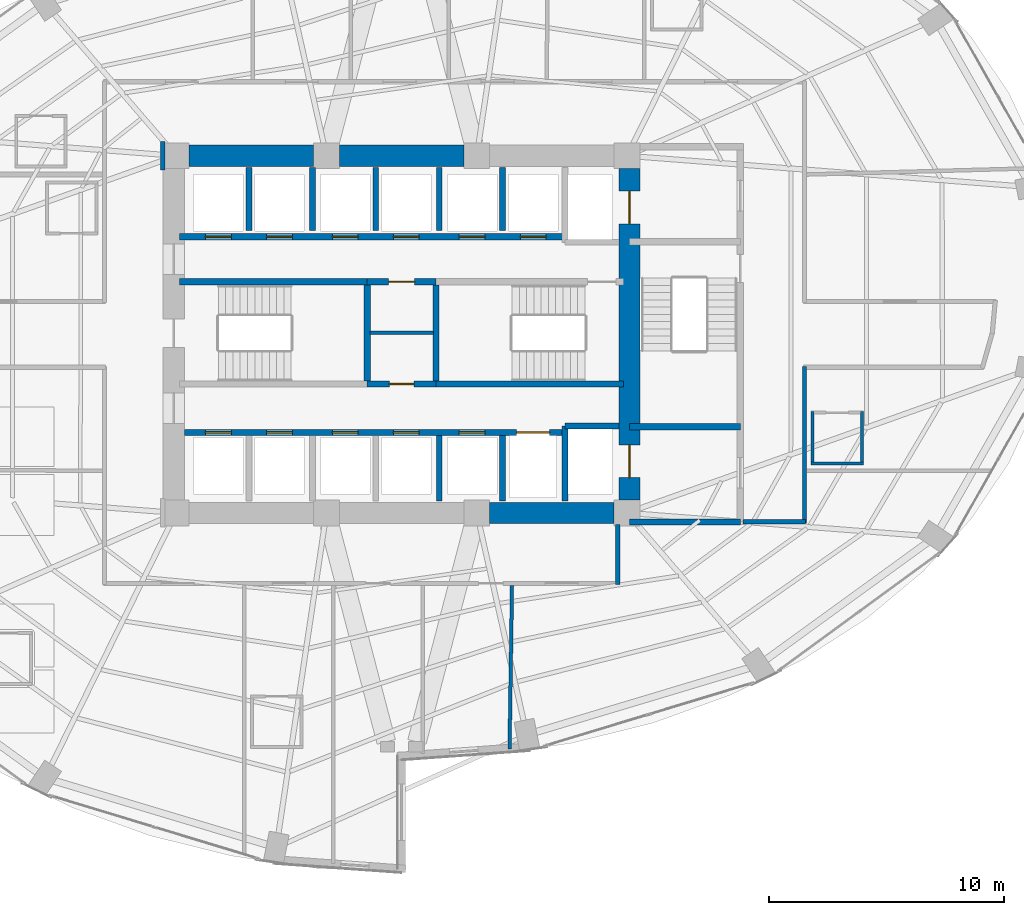
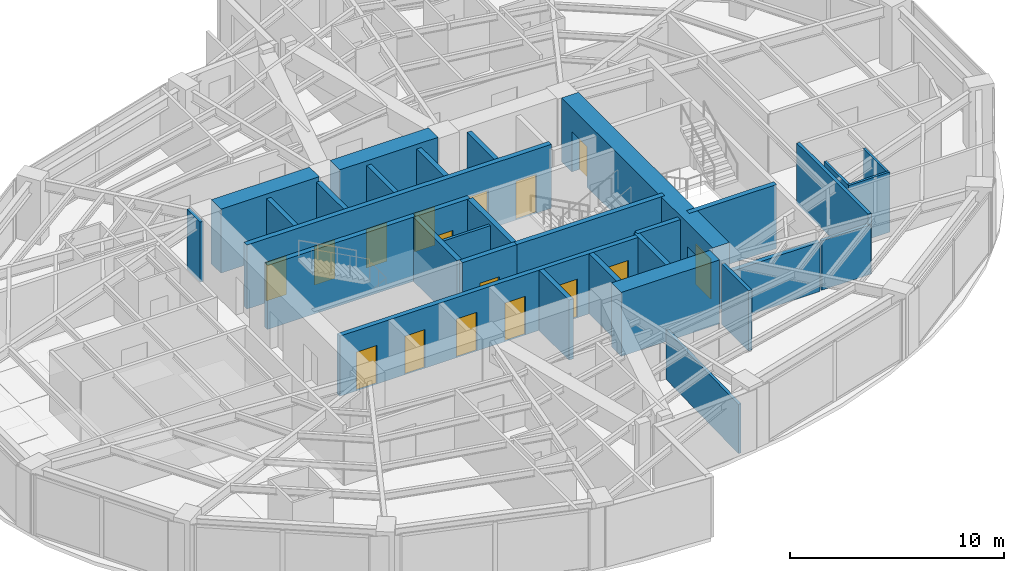
# One storey, part 21 of 25: 32 walls, 16 doors, 16 openings.
"""IFC4 building model written with IfcOpenShell, lengths in metres."""

from ifc_helpers import new_model, si_unit, direction, frame, frame_2d, origin, place, context, subcontext, project, spatial, rectangle, extrude, material, layer, layer_set, type_object, element, fill, save


model = new_model("IFC4")

# Units and contexts
model_context = context("Model", 3, precision=1e-05, world=origin(), true_north=direction((0.0, 1.0)))
body_context = subcontext(model_context, "Body", "Model", "MODEL_VIEW")
ifc_project = project(units=[si_unit("LENGTHUNIT", "METRE"), si_unit("AREAUNIT", "SQUARE_METRE"), si_unit("VOLUMEUNIT", "CUBIC_METRE"), si_unit("PLANEANGLEUNIT", "RADIAN"), si_unit("MASSUNIT", "GRAM", prefix="KILO")], contexts=[model_context])

# Site, building, storey
site_placement = place(None, origin())
site = spatial("IfcSite", under=ifc_project, at=site_placement, CompositionType="ELEMENT")
building_placement = place(site_placement, origin())
building = spatial("IfcBuilding", under=site, at=building_placement, Name="Lazwardi Medical Tower", CompositionType="ELEMENT")
storey_placement = place(building_placement, frame((0.0, 0.0, 32.49609375)))
storey = spatial("IfcBuildingStorey", under=building, at=storey_placement, Name="L07", CompositionType="ELEMENT", Elevation=32.49609375)

# Walls
ifc_material_1 = material(Name="Fire-rated gypsum board on steel stud", Category="steel")
ifc_layer_1 = layer(ifc_material_1, 0.179931640625)
ifc_layer_set_1 = layer_set([ifc_layer_1], Name="Fire-rated gypsum board on steel stud")
wall_type_1 = type_object("IfcWallType", Name="WL-COR-180", PredefinedType="PARTITIONING", material=ifc_layer_set_1)
wall_1_placement = place(storey_placement, frame((53.14990234375, 26.639892578125, 0.0), z_axis=(0.0, 0.0, 1.0), x_axis=(0.0, -1.0, 0.0)))
element("IfcWall", 1, at=wall_1_placement, inside=storey, type_object=wall_type_1, Name="L07 Corridor partition 10", PredefinedType="PARTITIONING", context=body_context, shape_type="SweptSolid", body=[
    extrude(rectangle(XDim=6.659912109375, YDim=0.179931640625, at=frame_2d((3.330078125, 0.0))), origin(), (0.0, 0.0, 1.0), 3.427978515625),
])
wall_2_placement = place(storey_placement, frame((53.18994140625, 20.02001953125, 0.0), z_axis=(0.0, 0.0, 1.0), x_axis=(-1.0, 0.0, 0.0)))
element("IfcWall", 2, at=wall_2_placement, inside=storey, type_object=wall_type_1, Name="L07 Corridor partition 11", PredefinedType="PARTITIONING", context=body_context, shape_type="SweptSolid", body=[
    extrude(rectangle(XDim=2.64990234375, YDim=0.179931640625, at=frame_2d((1.324951171875, 0.0))), origin(), (0.0, 0.0, 1.0), 2.81298828125),
])
wall_3_placement = place(storey_placement, frame((25.830078125, 36.2099609375, 0.0), z_axis=(0.0, 0.0, 1.0), x_axis=(0.0, -1.0, 0.0)))
element("IfcWall", 3, at=wall_3_placement, inside=storey, type_object=wall_type_1, Name="L07 Corridor partition 12", PredefinedType="PARTITIONING", context=body_context, shape_type="SweptSolid", body=[
    extrude(rectangle(XDim=1.219970703125, YDim=0.179931640625, at=frame_2d((0.60986328125, 0.0))), origin(), (0.0, 0.0, 1.0), 3.427978515625),
])
wall_4_placement = place(storey_placement, frame((45.199951171875, 19.909912109375, 0.0), z_axis=(0.0, 0.0, 1.0), x_axis=(0.0, -1.0, 0.0)))
element("IfcWall", 4, at=wall_4_placement, inside=storey, type_object=wall_type_1, Name="L07 Corridor partition 14", PredefinedType="PARTITIONING", context=body_context, shape_type="SweptSolid", body=[
    extrude(rectangle(XDim=2.5498046875, YDim=0.179931640625, at=frame_2d((1.27490234375, 0.0))), origin(), (0.0, 0.0, 1.0), 3.427978515625),
])

# Wall, openings, doors
ifc_material_2 = material(Name="Concrete C80/95", Category="concrete")
ifc_layer_2 = layer(ifc_material_2, 0.89990234375)
ifc_layer_set_2 = layer_set([ifc_layer_2], Name="Concrete C80/95")
wall_type_2 = type_object("IfcWallType", Name="WL-CORE-900", PredefinedType="SHEAR", material=ifc_layer_set_2)
wall_5_placement = place(storey_placement, frame((45.699951171875, 20.949951171875, 0.0), z_axis=(0.0, 0.0, 1.0), x_axis=(0.0, 1.0, 0.0)))
wall_5 = element("IfcWall", 5, at=wall_5_placement, inside=storey, type_object=wall_type_2, Name="Core wall CW-S1 east L07", PredefinedType="SHEAR", context=body_context, shape_type="SweptSolid", body=[
    extrude(rectangle(XDim=14.10009765625, YDim=0.89990234375, at=frame_2d((7.050048828125, 0.0))), origin(), (0.0, 0.0, 1.0), 3.64794921875),
])
opening_1_placement = place(wall_5_placement, frame((11.75, 0.0, 0.0)))
opening_1 = element("IfcOpeningElement", 6, at=opening_1_placement, cuts=wall_5, Name="Opening LD-L07-001", PredefinedType="OPENING", context=body_context, shape_type="SweptSolid", body=[
    extrude(rectangle(XDim=1.39990234375, YDim=2.300048828125, at=frame_2d((0.699951171875, 1.14990234375))), frame((0.0, 0.4599609375, 0.0), z_axis=(0.0, -1.0, 0.0), x_axis=(1.0, 0.0, 0.0)), (0.0, 0.0, 1.0), 0.919921875),
])
opening_2_placement = place(wall_5_placement, frame((0.949951171875, 0.0, 0.0)))
opening_2 = element("IfcOpeningElement", 7, at=opening_2_placement, cuts=wall_5, Name="Opening LD-L07-002", PredefinedType="OPENING", context=body_context, shape_type="SweptSolid", body=[
    extrude(rectangle(XDim=1.39990234375, YDim=2.300048828125, at=frame_2d((0.699951171875, 1.14990234375))), frame((0.0, 0.4599609375, 0.0), z_axis=(0.0, -1.0, 0.0), x_axis=(1.0, 0.0, 0.0)), (0.0, 0.0, 1.0), 0.919921875),
])
ifc_material_3 = material(Name="Brushed stainless steel bed-lift landing door", Category="steel")
door_type_1 = type_object("IfcDoorType", Name="DR-LFT-1400", OperationType="NOTDEFINED", PredefinedType="DOOR", material=ifc_material_3)
door_1_placement = place(opening_1_placement, origin())
door_1 = element("IfcDoor", 8, at=door_1_placement, inside=storey, type_object=door_type_1, Name="L07 Lift Landing Door FL-01", OperationType="SLIDING_TO_LEFT", OverallHeight=2.300048828125, OverallWidth=1.39990234375, PredefinedType="DOOR", context=body_context, shape_type="SweptSolid", body=[
    extrude(rectangle(XDim=1.39990234375, YDim=2.300048828125, at=frame_2d((0.699951171875, 1.14990234375))), frame((0.0, 0.02490234375, 0.0), z_axis=(0.0, -1.0, 0.0), x_axis=(1.0, 0.0, 0.0)), (0.0, 0.0, 1.0), 0.050048828125),
])
fill(opening_1, door_1)
door_2_placement = place(opening_2_placement, origin())
door_2 = element("IfcDoor", 9, at=door_2_placement, inside=storey, type_object=door_type_1, Name="L07 Lift Landing Door FL-02", OperationType="SLIDING_TO_LEFT", OverallHeight=2.300048828125, OverallWidth=1.39990234375, PredefinedType="DOOR", context=body_context, shape_type="SweptSolid", body=[
    extrude(rectangle(XDim=1.39990234375, YDim=2.300048828125, at=frame_2d((0.699951171875, 1.14990234375))), frame((0.0, 0.02490234375, 0.0), z_axis=(0.0, -1.0, 0.0), x_axis=(1.0, 0.0, 0.0)), (0.0, 0.0, 1.0), 0.050048828125),
])
fill(opening_2, door_2)

# Walls
wall_6_placement = place(storey_placement, frame((26.949951171875, 35.60009765625, 0.0), z_axis=(0.0, 0.0, 1.0), x_axis=(1.0, 0.0, 0.0)))
element("IfcWall", 10, at=wall_6_placement, inside=storey, type_object=wall_type_2, Name="Core wall CW-S1 N1 L07", PredefinedType="SHEAR", context=body_context, shape_type="SweptSolid", body=[
    extrude(rectangle(XDim=5.300048828125, YDim=0.89990234375, at=frame_2d((2.64990234375, 0.0))), origin(), (0.0, 0.0, 1.0), 3.64794921875),
])
wall_7_placement = place(storey_placement, frame((33.35009765625, 35.60009765625, 0.0), z_axis=(0.0, 0.0, 1.0), x_axis=(1.0, 0.0, 0.0)))
element("IfcWall", 11, at=wall_7_placement, inside=storey, type_object=wall_type_2, Name="Core wall CW-S1 N2 L07", PredefinedType="SHEAR", context=body_context, shape_type="SweptSolid", body=[
    extrude(rectangle(XDim=5.2998046875, YDim=0.89990234375, at=frame_2d((2.64990234375, 0.0))), origin(), (0.0, 0.0, 1.0), 3.64794921875),
])
wall_8_placement = place(storey_placement, frame((39.75, 20.39990234375, 0.0), z_axis=(0.0, 0.0, 1.0), x_axis=(1.0, 0.0, 0.0)))
element("IfcWall", 12, at=wall_8_placement, inside=storey, type_object=wall_type_2, Name="Core wall CW-S1 S3 L07", PredefinedType="SHEAR", context=body_context, shape_type="SweptSolid", body=[
    extrude(rectangle(XDim=5.300048828125, YDim=0.89990234375, at=frame_2d((2.64990234375, 0.0))), origin(), (0.0, 0.0, 1.0), 3.64794921875),
])
ifc_material_4 = material(Name="Moisture-resistant gypsum board partition")
ifc_layer_3 = layer(ifc_material_4, 0.125)
ifc_layer_set_3 = layer_set([ifc_layer_3], Name="Moisture-resistant gypsum board partition")
wall_type_3 = type_object("IfcWallType", Name="WL-ENS-125", PredefinedType="PARTITIONING", material=ifc_layer_set_3)
wall_9_placement = place(storey_placement, frame((53.43505859375, 22.5048828125, 0.0), z_axis=(0.0, 0.0, 1.0), x_axis=(1.0, 0.0, 0.0)))
element("IfcWall", 13, at=wall_9_placement, inside=storey, type_object=wall_type_3, Name="L07 En-suite wall 6S", PredefinedType="PARTITIONING", context=body_context, shape_type="SweptSolid", body=[
    extrude(rectangle(XDim=2.219970703125, YDim=0.125, at=frame_2d((1.10986328125, 0.0))), origin(), (0.0, 0.0, 1.0), 3.427978515625),
])
for number, where, z_axis, x_axis, name in (
    (14, (55.594970703125, 22.445068359375, 0.0), (0.0, 0.0, 1.0), (0.0, 1.0, 0.0), "L07 En-suite wall 6E"),
    (15, (53.4951171875, 22.445068359375, 0.0), (0.0, 0.0, 1.0), (0.0, 1.0, 0.0), "L07 En-suite wall 6W"),
):
    element("IfcWall", number, at=place(storey_placement, frame(where, z_axis=z_axis, x_axis=x_axis)), inside=storey, type_object=wall_type_3, Name=name, PredefinedType="PARTITIONING", context=body_context, shape_type="SweptSolid", body=[
        extrude(rectangle(XDim=2.280029296875, YDim=0.125, at=frame_2d((1.14013671875, 0.0))), origin(), (0.0, 0.0, 1.0), 3.427978515625),
    ])

# Wall, openings, doors
ifc_material_5 = material(Name="Autoclaved aerated concrete blockwork", Category="masonry")
ifc_layer_4 = layer(ifc_material_5, 0.25)
ifc_layer_set_4 = layer_set([ifc_layer_4], Name="Autoclaved aerated concrete blockwork")
wall_type_4 = type_object("IfcWallType", Name="WL-SHAFT-250", PredefinedType="SOLIDWALL", material=ifc_layer_set_4)
wall_10_placement = place(storey_placement, frame((26.75, 23.830078125, 0.0), z_axis=(0.0, 0.0, 1.0), x_axis=(1.0, 0.0, 0.0)))
wall_10 = element("IfcWall", 16, at=wall_10_placement, inside=storey, type_object=wall_type_4, Name="L07 South lift bank front wall", PredefinedType="SOLIDWALL", context=body_context, shape_type="SweptSolid", body=[
    extrude(rectangle(XDim=16.199951171875, YDim=0.25, at=frame_2d((8.10009765625, 0.0))), origin(), (0.0, 0.0, 1.0), 3.427978515625),
])
opening_3_placement = place(wall_10_placement, frame((0.89990234375, 0.0, 0.0)))
opening_3 = element("IfcOpeningElement", 17, at=opening_3_placement, cuts=wall_10, Name="Opening LD-L07-006", PredefinedType="OPENING", context=body_context, shape_type="SweptSolid", body=[
    extrude(rectangle(XDim=1.10009765625, YDim=2.199951171875, at=frame_2d((0.550048828125, 1.10009765625))), frame((0.0, 0.135009765625, 0.0), z_axis=(0.0, -1.0, 0.0), x_axis=(1.0, 0.0, 0.0)), (0.0, 0.0, 1.0), 0.27001953125),
])
opening_4_placement = place(wall_10_placement, frame((3.5, 0.0, 0.0)))
opening_4 = element("IfcOpeningElement", 18, at=opening_4_placement, cuts=wall_10, Name="Opening LD-L07-007", PredefinedType="OPENING", context=body_context, shape_type="SweptSolid", body=[
    extrude(rectangle(XDim=1.10009765625, YDim=2.199951171875, at=frame_2d((0.550048828125, 1.10009765625))), frame((0.0, 0.135009765625, 0.0), z_axis=(0.0, -1.0, 0.0), x_axis=(1.0, 0.0, 0.0)), (0.0, 0.0, 1.0), 0.27001953125),
])
opening_5_placement = place(wall_10_placement, frame((6.300048828125, 0.0, 0.0)))
opening_5 = element("IfcOpeningElement", 19, at=opening_5_placement, cuts=wall_10, Name="Opening LD-L07-010", PredefinedType="OPENING", context=body_context, shape_type="SweptSolid", body=[
    extrude(rectangle(XDim=1.10009765625, YDim=2.199951171875, at=frame_2d((0.550048828125, 1.10009765625))), frame((0.0, 0.135009765625, 0.0), z_axis=(0.0, -1.0, 0.0), x_axis=(1.0, 0.0, 0.0)), (0.0, 0.0, 1.0), 0.27001953125),
])
opening_6_placement = place(wall_10_placement, frame((8.89990234375, 0.0, 0.0)))
opening_6 = element("IfcOpeningElement", 20, at=opening_6_placement, cuts=wall_10, Name="Opening LD-L07-011", PredefinedType="OPENING", context=body_context, shape_type="SweptSolid", body=[
    extrude(rectangle(XDim=1.10009765625, YDim=2.199951171875, at=frame_2d((0.550048828125, 1.10009765625))), frame((0.0, 0.135009765625, 0.0), z_axis=(0.0, -1.0, 0.0), x_axis=(1.0, 0.0, 0.0)), (0.0, 0.0, 1.0), 0.27001953125),
])
opening_7_placement = place(wall_10_placement, frame((11.699951171875, 0.0, 0.0)))
opening_7 = element("IfcOpeningElement", 21, at=opening_7_placement, cuts=wall_10, Name="Opening LD-L07-014", PredefinedType="OPENING", context=body_context, shape_type="SweptSolid", body=[
    extrude(rectangle(XDim=1.10009765625, YDim=2.199951171875, at=frame_2d((0.550048828125, 1.10009765625))), frame((0.0, 0.135009765625, 0.0), z_axis=(0.0, -1.0, 0.0), x_axis=(1.0, 0.0, 0.0)), (0.0, 0.0, 1.0), 0.27001953125),
])
opening_8_placement = place(wall_10_placement, frame((14.14990234375, 0.0, 0.0)))
opening_8 = element("IfcOpeningElement", 22, at=opening_8_placement, cuts=wall_10, Name="Opening LD-L07-003", PredefinedType="OPENING", context=body_context, shape_type="SweptSolid", body=[
    extrude(rectangle(XDim=1.39990234375, YDim=2.300048828125, at=frame_2d((0.699951171875, 1.14990234375))), frame((0.0, 0.135009765625, 0.0), z_axis=(0.0, -1.0, 0.0), x_axis=(1.0, 0.0, 0.0)), (0.0, 0.0, 1.0), 0.27001953125),
])
ifc_material_6 = material(Name="Brushed bronze stainless steel landing door", Category="steel")
door_type_2 = type_object("IfcDoorType", Name="DR-LFT-1100", OperationType="NOTDEFINED", PredefinedType="DOOR", material=ifc_material_6)
door_3_placement = place(opening_3_placement, origin())
door_3 = element("IfcDoor", 23, at=door_3_placement, inside=storey, type_object=door_type_2, Name="L07 Lift Landing Door PL-03", OperationType="SLIDING_TO_LEFT", OverallHeight=2.199951171875, OverallWidth=1.10009765625, PredefinedType="DOOR", context=body_context, shape_type="SweptSolid", body=[
    extrude(rectangle(XDim=1.10009765625, YDim=2.199951171875, at=frame_2d((0.550048828125, 1.10009765625))), frame((0.0, 0.02490234375, 0.0), z_axis=(0.0, -1.0, 0.0), x_axis=(1.0, 0.0, 0.0)), (0.0, 0.0, 1.0), 0.050048828125),
])
fill(opening_3, door_3)
door_4_placement = place(opening_4_placement, origin())
door_4 = element("IfcDoor", 24, at=door_4_placement, inside=storey, type_object=door_type_2, Name="L07 Lift Landing Door PL-04", OperationType="SLIDING_TO_LEFT", OverallHeight=2.199951171875, OverallWidth=1.10009765625, PredefinedType="DOOR", context=body_context, shape_type="SweptSolid", body=[
    extrude(rectangle(XDim=1.10009765625, YDim=2.199951171875, at=frame_2d((0.550048828125, 1.10009765625))), frame((0.0, 0.02490234375, 0.0), z_axis=(0.0, -1.0, 0.0), x_axis=(1.0, 0.0, 0.0)), (0.0, 0.0, 1.0), 0.050048828125),
])
fill(opening_4, door_4)
door_5_placement = place(opening_5_placement, origin())
door_5 = element("IfcDoor", 25, at=door_5_placement, inside=storey, type_object=door_type_2, Name="L07 Lift Landing Door PL-07", OperationType="SLIDING_TO_LEFT", OverallHeight=2.199951171875, OverallWidth=1.10009765625, PredefinedType="DOOR", context=body_context, shape_type="SweptSolid", body=[
    extrude(rectangle(XDim=1.10009765625, YDim=2.199951171875, at=frame_2d((0.550048828125, 1.10009765625))), frame((0.0, 0.02490234375, 0.0), z_axis=(0.0, -1.0, 0.0), x_axis=(1.0, 0.0, 0.0)), (0.0, 0.0, 1.0), 0.050048828125),
])
fill(opening_5, door_5)
door_6_placement = place(opening_6_placement, origin())
door_6 = element("IfcDoor", 26, at=door_6_placement, inside=storey, type_object=door_type_2, Name="L07 Lift Landing Door PL-08", OperationType="SLIDING_TO_LEFT", OverallHeight=2.199951171875, OverallWidth=1.10009765625, PredefinedType="DOOR", context=body_context, shape_type="SweptSolid", body=[
    extrude(rectangle(XDim=1.10009765625, YDim=2.199951171875, at=frame_2d((0.550048828125, 1.10009765625))), frame((0.0, 0.02490234375, 0.0), z_axis=(0.0, -1.0, 0.0), x_axis=(1.0, 0.0, 0.0)), (0.0, 0.0, 1.0), 0.050048828125),
])
fill(opening_6, door_6)
door_7_placement = place(opening_7_placement, origin())
door_7 = element("IfcDoor", 27, at=door_7_placement, inside=storey, type_object=door_type_2, Name="L07 Lift Landing Door PL-11", OperationType="SLIDING_TO_LEFT", OverallHeight=2.199951171875, OverallWidth=1.10009765625, PredefinedType="DOOR", context=body_context, shape_type="SweptSolid", body=[
    extrude(rectangle(XDim=1.10009765625, YDim=2.199951171875, at=frame_2d((0.550048828125, 1.10009765625))), frame((0.0, 0.02490234375, 0.0), z_axis=(0.0, -1.0, 0.0), x_axis=(1.0, 0.0, 0.0)), (0.0, 0.0, 1.0), 0.050048828125),
])
fill(opening_7, door_7)
door_8_placement = place(opening_8_placement, origin())
door_8 = element("IfcDoor", 28, at=door_8_placement, inside=storey, type_object=door_type_1, Name="L07 Lift Landing Door FL-03", OperationType="SLIDING_TO_LEFT", OverallHeight=2.300048828125, OverallWidth=1.39990234375, PredefinedType="DOOR", context=body_context, shape_type="SweptSolid", body=[
    extrude(rectangle(XDim=1.39990234375, YDim=2.300048828125, at=frame_2d((0.699951171875, 1.14990234375))), frame((0.0, 0.02490234375, 0.0), z_axis=(0.0, -1.0, 0.0), x_axis=(1.0, 0.0, 0.0)), (0.0, 0.0, 1.0), 0.050048828125),
])
fill(opening_8, door_8)

# Walls
wall_11_placement = place(storey_placement, frame((42.949951171875, 20.89990234375, 0.0), z_axis=(0.0, 0.0, 1.0), x_axis=(0.0, 1.0, 0.0)))
element("IfcWall", 29, at=wall_11_placement, inside=storey, type_object=wall_type_4, Name="L07 FL-02 West shaft wall", PredefinedType="SOLIDWALL", context=body_context, shape_type="SweptSolid", body=[
    extrude(rectangle(XDim=3.2001953125, YDim=0.25, at=frame_2d((1.60009765625, 0.0))), origin(), (0.0, 0.0, 1.0), 3.427978515625),
])
wall_12_placement = place(storey_placement, frame((42.949951171875, 24.10009765625, 0.0), z_axis=(0.0, 0.0, 1.0), x_axis=(1.0, 0.0, 0.0)))
element("IfcWall", 30, at=wall_12_placement, inside=storey, type_object=wall_type_4, Name="L07 FL-02 North shaft wall", PredefinedType="SOLIDWALL", context=body_context, shape_type="SweptSolid", body=[
    extrude(rectangle(XDim=2.300048828125, YDim=0.25, at=frame_2d((1.14990234375, 0.0))), origin(), (0.0, 0.0, 1.0), 3.427978515625),
])
for number, where, z_axis, x_axis, name in (
    (31, (29.5, 32.419921875, 0.0), (0.0, 0.0, 1.0), (0.0, 1.0, 0.0), "L07 North hoistway divider"),
    (32, (32.199951171875, 32.419921875, 0.0), (0.0, 0.0, 1.0), (0.0, 1.0, 0.0), "L07 North hoistway divider"),
    (33, (34.89990234375, 32.419921875, 0.0), (0.0, 0.0, 1.0), (0.0, 1.0, 0.0), "L07 North hoistway divider"),
    (34, (37.60009765625, 32.419921875, 0.0), (0.0, 0.0, 1.0), (0.0, 1.0, 0.0), "L07 North hoistway divider"),
):
    element("IfcWall", number, at=place(storey_placement, frame(where, z_axis=z_axis, x_axis=x_axis)), inside=storey, type_object=wall_type_4, Name=name, PredefinedType="SOLIDWALL", context=body_context, shape_type="SweptSolid", body=[
        extrude(rectangle(XDim=2.68017578125, YDim=0.25, at=frame_2d((1.340087890625, 0.0))), origin(), (0.0, 0.0, 1.0), 3.427978515625),
    ])
wall_13_placement = place(storey_placement, frame((37.60009765625, 20.89990234375, 0.0), z_axis=(0.0, 0.0, 1.0), x_axis=(0.0, 1.0, 0.0)))
element("IfcWall", 35, at=wall_13_placement, inside=storey, type_object=wall_type_4, Name="L07 South hoistway divider", PredefinedType="SOLIDWALL", context=body_context, shape_type="SweptSolid", body=[
    extrude(rectangle(XDim=2.800048828125, YDim=0.25, at=frame_2d((1.39990234375, 0.0))), origin(), (0.0, 0.0, 1.0), 3.427978515625),
])
wall_14_placement = place(storey_placement, frame((40.300048828125, 32.419921875, 0.0), z_axis=(0.0, 0.0, 1.0), x_axis=(0.0, 1.0, 0.0)))
element("IfcWall", 36, at=wall_14_placement, inside=storey, type_object=wall_type_4, Name="L07 North hoistway divider", PredefinedType="SOLIDWALL", context=body_context, shape_type="SweptSolid", body=[
    extrude(rectangle(XDim=2.68017578125, YDim=0.25, at=frame_2d((1.340087890625, 0.0))), origin(), (0.0, 0.0, 1.0), 3.427978515625),
])
wall_15_placement = place(storey_placement, frame((40.300048828125, 20.89990234375, 0.0), z_axis=(0.0, 0.0, 1.0), x_axis=(0.0, 1.0, 0.0)))
element("IfcWall", 37, at=wall_15_placement, inside=storey, type_object=wall_type_4, Name="L07 South hoistway divider", PredefinedType="SOLIDWALL", context=body_context, shape_type="SweptSolid", body=[
    extrude(rectangle(XDim=2.800048828125, YDim=0.25, at=frame_2d((1.39990234375, 0.0))), origin(), (0.0, 0.0, 1.0), 3.427978515625),
])
wall_16_placement = place(storey_placement, frame((45.699951171875, 20.02001953125, 0.0), z_axis=(0.0, 0.0, 1.0), x_axis=(1.0, 0.0, 0.0)))
element("IfcWall", 38, at=wall_16_placement, inside=storey, type_object=wall_type_4, Name="L07 FFL-S South wall", PredefinedType="SOLIDWALL", context=body_context, shape_type="SweptSolid", body=[
    extrude(rectangle(XDim=4.715087890625, YDim=0.25, at=frame_2d((2.357421875, 0.0))), origin(), (0.0, 0.0, 1.0), 2.81298828125),
])
ifc_material_7 = material(Name="Concrete C50/60", Category="concrete")
ifc_layer_5 = layer(ifc_material_7, 0.27001953125)
ifc_layer_set_5 = layer_set([ifc_layer_5], Name="Concrete C50/60")
wall_type_5 = type_object("IfcWallType", Name="WL-STR-250", PredefinedType="SHEAR", material=ifc_layer_set_5)
wall_17_placement = place(storey_placement, frame((26.550048828125, 30.235107421875, 0.0), z_axis=(0.0, 0.0, 1.0), x_axis=(1.0, 0.0, 0.0)))
element("IfcWall", 39, at=wall_17_placement, inside=storey, type_object=wall_type_5, Name="L07 ST1 North shear shaft wall SW-S1", PredefinedType="SHEAR", context=body_context, shape_type="SweptSolid", body=[
    extrude(rectangle(XDim=7.98486328125, YDim=0.27001953125, at=frame_2d((3.992431640625, 0.0))), origin(), (0.0, 0.0, 1.0), 3.64794921875),
])

# Wall, opening, door
wall_18_placement = place(storey_placement, frame((34.534912109375, 30.235107421875, 0.0), z_axis=(0.0, 0.0, 1.0), x_axis=(1.0, 0.0, 0.0)))
wall_18 = element("IfcWall", 40, at=wall_18_placement, inside=storey, type_object=wall_type_5, Name="L07 Core service North shear wall SW-S1", PredefinedType="SHEAR", context=body_context, shape_type="SweptSolid", body=[
    extrude(rectangle(XDim=2.93017578125, YDim=0.27001953125, at=frame_2d((1.465087890625, 0.0))), origin(), (0.0, 0.0, 1.0), 3.64794921875),
])
opening_9_placement = place(wall_18_placement, frame((0.9150390625, 0.0, 0.0)))
opening_9 = element("IfcOpeningElement", 41, at=opening_9_placement, cuts=wall_18, Name="Opening D-L07-002", PredefinedType="OPENING", context=body_context, shape_type="SweptSolid", body=[
    extrude(rectangle(XDim=1.10009765625, YDim=2.14990234375, at=frame_2d((0.550048828125, 1.074951171875))), frame((0.0, 0.14501953125, 0.0), z_axis=(0.0, -1.0, 0.0), x_axis=(1.0, 0.0, 0.0)), (0.0, 0.0, 1.0), 0.2900390625),
])
ifc_material_8 = material(Name="Fire-rated steel leaf and frame", Category="steel")
door_type_3 = type_object("IfcDoorType", Name="DR-PLT-1100", OperationType="NOTDEFINED", PredefinedType="DOOR", material=ifc_material_8)
door_9_placement = place(opening_9_placement, origin())
door_9 = element("IfcDoor", 42, at=door_9_placement, inside=storey, type_object=door_type_3, Name="L07 Electrical Room Door", OperationType="SINGLE_SWING_RIGHT", OverallHeight=2.14990234375, OverallWidth=1.10009765625, PredefinedType="DOOR", context=body_context, shape_type="SweptSolid", body=[
    extrude(rectangle(XDim=1.10009765625, YDim=2.14990234375, at=frame_2d((0.550048828125, 1.074951171875))), frame((0.0, 0.02490234375, 0.0), z_axis=(0.0, -1.0, 0.0), x_axis=(1.0, 0.0, 0.0)), (0.0, 0.0, 1.0), 0.050048828125),
])
fill(opening_9, door_9)

wall_19_placement = place(storey_placement, frame((34.534912109375, 25.885009765625, 0.0), z_axis=(0.0, 0.0, 1.0), x_axis=(1.0, 0.0, 0.0)))
wall_19 = element("IfcWall", 43, at=wall_19_placement, inside=storey, type_object=wall_type_5, Name="L07 Core service South shear wall SW-S1", PredefinedType="SHEAR", context=body_context, shape_type="SweptSolid", body=[
    extrude(rectangle(XDim=2.93017578125, YDim=0.27001953125, at=frame_2d((1.465087890625, 0.0))), origin(), (0.0, 0.0, 1.0), 3.64794921875),
])
opening_10_placement = place(wall_19_placement, frame((0.93994140625, 0.0, 0.0)))
opening_10 = element("IfcOpeningElement", 44, at=opening_10_placement, cuts=wall_19, Name="Opening D-L07-001", PredefinedType="OPENING", context=body_context, shape_type="SweptSolid", body=[
    extrude(rectangle(XDim=1.050048828125, YDim=2.14990234375, at=frame_2d((0.52490234375, 1.074951171875))), frame((0.0, 0.14501953125, 0.0), z_axis=(0.0, -1.0, 0.0), x_axis=(1.0, 0.0, 0.0)), (0.0, 0.0, 1.0), 0.2900390625),
])
ifc_material_9 = material(Name="Anti-microbial laminate hospital leaf")
door_type_4 = type_object("IfcDoorType", Name="DR-CLN-1050", OperationType="NOTDEFINED", PredefinedType="DOOR", material=ifc_material_9)
door_10_placement = place(opening_10_placement, origin())
door_10 = element("IfcDoor", 45, at=door_10_placement, inside=storey, type_object=door_type_4, Name="L07 Dirty Sluice Door", OperationType="SINGLE_SWING_LEFT", OverallHeight=2.14990234375, OverallWidth=1.050048828125, PredefinedType="DOOR", context=body_context, shape_type="SweptSolid", body=[
    extrude(rectangle(XDim=1.050048828125, YDim=2.14990234375, at=frame_2d((0.52490234375, 1.074951171875))), frame((0.0, 0.02490234375, 0.0), z_axis=(0.0, -1.0, 0.0), x_axis=(1.0, 0.0, 0.0)), (0.0, 0.0, 1.0), 0.050048828125),
])
fill(opening_10, door_10)

# Walls
wall_20_placement = place(storey_placement, frame((37.465087890625, 25.885009765625, 0.0), z_axis=(0.0, 0.0, 1.0), x_axis=(1.0, 0.0, 0.0)))
element("IfcWall", 46, at=wall_20_placement, inside=storey, type_object=wall_type_5, Name="L07 ST2 South shear shaft wall SW-S1", PredefinedType="SHEAR", context=body_context, shape_type="SweptSolid", body=[
    extrude(rectangle(XDim=7.98486328125, YDim=0.27001953125, at=frame_2d((3.992431640625, 0.0))), origin(), (0.0, 0.0, 1.0), 3.64794921875),
])
for number, where, z_axis, x_axis, name in (
    (47, (34.534912109375, 26.02001953125, 0.0), (0.0, 0.0, 1.0), (0.0, 1.0, 0.0), "L07 ST1 East shear shaft wall SW-S1"),
    (48, (37.465087890625, 26.02001953125, 0.0), (0.0, 0.0, 1.0), (0.0, 1.0, 0.0), "L07 ST2 West shear shaft wall SW-S1"),
):
    element("IfcWall", number, at=place(storey_placement, frame(where, z_axis=z_axis, x_axis=x_axis)), inside=storey, type_object=wall_type_5, Name=name, PredefinedType="SHEAR", context=body_context, shape_type="SweptSolid", body=[
        extrude(rectangle(XDim=4.080078125, YDim=0.27001953125, at=frame_2d((2.0400390625, 0.0))), origin(), (0.0, 0.0, 1.0), 3.64794921875),
    ])

# Wall, openings, doors
wall_21_placement = place(storey_placement, frame((26.550048828125, 32.14990234375, 0.0), z_axis=(0.0, 0.0, 1.0), x_axis=(1.0, 0.0, 0.0)))
wall_21 = element("IfcWall", 49, at=wall_21_placement, inside=storey, type_object=wall_type_5, Name="L07 North lift bank shear wall SW-S1", PredefinedType="SHEAR", context=body_context, shape_type="SweptSolid", body=[
    extrude(rectangle(XDim=16.39990234375, YDim=0.27001953125, at=frame_2d((8.199951171875, 0.0))), origin(), (0.0, 0.0, 1.0), 3.64794921875),
])
opening_11_placement = place(wall_21_placement, frame((1.10009765625, 0.0, 0.0)))
opening_11 = element("IfcOpeningElement", 50, at=opening_11_placement, cuts=wall_21, Name="Opening LD-L07-004", PredefinedType="OPENING", context=body_context, shape_type="SweptSolid", body=[
    extrude(rectangle(XDim=1.10009765625, YDim=2.199951171875, at=frame_2d((0.550048828125, 1.10009765625))), frame((0.0, 0.14501953125, 0.0), z_axis=(0.0, -1.0, 0.0), x_axis=(1.0, 0.0, 0.0)), (0.0, 0.0, 1.0), 0.2900390625),
])
opening_12_placement = place(wall_21_placement, frame((3.699951171875, 0.0, 0.0)))
opening_12 = element("IfcOpeningElement", 51, at=opening_12_placement, cuts=wall_21, Name="Opening LD-L07-005", PredefinedType="OPENING", context=body_context, shape_type="SweptSolid", body=[
    extrude(rectangle(XDim=1.10009765625, YDim=2.199951171875, at=frame_2d((0.550048828125, 1.10009765625))), frame((0.0, 0.14501953125, 0.0), z_axis=(0.0, -1.0, 0.0), x_axis=(1.0, 0.0, 0.0)), (0.0, 0.0, 1.0), 0.2900390625),
])
opening_13_placement = place(wall_21_placement, frame((6.5, 0.0, 0.0)))
opening_13 = element("IfcOpeningElement", 52, at=opening_13_placement, cuts=wall_21, Name="Opening LD-L07-008", PredefinedType="OPENING", context=body_context, shape_type="SweptSolid", body=[
    extrude(rectangle(XDim=1.10009765625, YDim=2.199951171875, at=frame_2d((0.550048828125, 1.10009765625))), frame((0.0, 0.14501953125, 0.0), z_axis=(0.0, -1.0, 0.0), x_axis=(1.0, 0.0, 0.0)), (0.0, 0.0, 1.0), 0.2900390625),
])
opening_14_placement = place(wall_21_placement, frame((9.10009765625, 0.0, 0.0)))
opening_14 = element("IfcOpeningElement", 53, at=opening_14_placement, cuts=wall_21, Name="Opening LD-L07-009", PredefinedType="OPENING", context=body_context, shape_type="SweptSolid", body=[
    extrude(rectangle(XDim=1.10009765625, YDim=2.199951171875, at=frame_2d((0.550048828125, 1.10009765625))), frame((0.0, 0.14501953125, 0.0), z_axis=(0.0, -1.0, 0.0), x_axis=(1.0, 0.0, 0.0)), (0.0, 0.0, 1.0), 0.2900390625),
])
opening_15_placement = place(wall_21_placement, frame((11.89990234375, 0.0, 0.0)))
opening_15 = element("IfcOpeningElement", 54, at=opening_15_placement, cuts=wall_21, Name="Opening LD-L07-012", PredefinedType="OPENING", context=body_context, shape_type="SweptSolid", body=[
    extrude(rectangle(XDim=1.10009765625, YDim=2.199951171875, at=frame_2d((0.550048828125, 1.10009765625))), frame((0.0, 0.14501953125, 0.0), z_axis=(0.0, -1.0, 0.0), x_axis=(1.0, 0.0, 0.0)), (0.0, 0.0, 1.0), 0.2900390625),
])
opening_16_placement = place(wall_21_placement, frame((14.5, 0.0, 0.0)))
opening_16 = element("IfcOpeningElement", 55, at=opening_16_placement, cuts=wall_21, Name="Opening LD-L07-013", PredefinedType="OPENING", context=body_context, shape_type="SweptSolid", body=[
    extrude(rectangle(XDim=1.10009765625, YDim=2.199951171875, at=frame_2d((0.550048828125, 1.10009765625))), frame((0.0, 0.14501953125, 0.0), z_axis=(0.0, -1.0, 0.0), x_axis=(1.0, 0.0, 0.0)), (0.0, 0.0, 1.0), 0.2900390625),
])
door_11_placement = place(opening_11_placement, origin())
door_11 = element("IfcDoor", 56, at=door_11_placement, inside=storey, type_object=door_type_2, Name="L07 Lift Landing Door PL-01", OperationType="SLIDING_TO_LEFT", OverallHeight=2.199951171875, OverallWidth=1.10009765625, PredefinedType="DOOR", context=body_context, shape_type="SweptSolid", body=[
    extrude(rectangle(XDim=1.10009765625, YDim=2.199951171875, at=frame_2d((0.550048828125, 1.10009765625))), frame((0.0, 0.02490234375, 0.0), z_axis=(0.0, -1.0, 0.0), x_axis=(1.0, 0.0, 0.0)), (0.0, 0.0, 1.0), 0.050048828125),
])
fill(opening_11, door_11)
door_12_placement = place(opening_12_placement, origin())
door_12 = element("IfcDoor", 57, at=door_12_placement, inside=storey, type_object=door_type_2, Name="L07 Lift Landing Door PL-02", OperationType="SLIDING_TO_LEFT", OverallHeight=2.199951171875, OverallWidth=1.10009765625, PredefinedType="DOOR", context=body_context, shape_type="SweptSolid", body=[
    extrude(rectangle(XDim=1.10009765625, YDim=2.199951171875, at=frame_2d((0.550048828125, 1.10009765625))), frame((0.0, 0.02490234375, 0.0), z_axis=(0.0, -1.0, 0.0), x_axis=(1.0, 0.0, 0.0)), (0.0, 0.0, 1.0), 0.050048828125),
])
fill(opening_12, door_12)
door_13_placement = place(opening_13_placement, origin())
door_13 = element("IfcDoor", 58, at=door_13_placement, inside=storey, type_object=door_type_2, Name="L07 Lift Landing Door PL-05", OperationType="SLIDING_TO_LEFT", OverallHeight=2.199951171875, OverallWidth=1.10009765625, PredefinedType="DOOR", context=body_context, shape_type="SweptSolid", body=[
    extrude(rectangle(XDim=1.10009765625, YDim=2.199951171875, at=frame_2d((0.550048828125, 1.10009765625))), frame((0.0, 0.02490234375, 0.0), z_axis=(0.0, -1.0, 0.0), x_axis=(1.0, 0.0, 0.0)), (0.0, 0.0, 1.0), 0.050048828125),
])
fill(opening_13, door_13)
door_14_placement = place(opening_14_placement, origin())
door_14 = element("IfcDoor", 59, at=door_14_placement, inside=storey, type_object=door_type_2, Name="L07 Lift Landing Door PL-06", OperationType="SLIDING_TO_LEFT", OverallHeight=2.199951171875, OverallWidth=1.10009765625, PredefinedType="DOOR", context=body_context, shape_type="SweptSolid", body=[
    extrude(rectangle(XDim=1.10009765625, YDim=2.199951171875, at=frame_2d((0.550048828125, 1.10009765625))), frame((0.0, 0.02490234375, 0.0), z_axis=(0.0, -1.0, 0.0), x_axis=(1.0, 0.0, 0.0)), (0.0, 0.0, 1.0), 0.050048828125),
])
fill(opening_14, door_14)
door_15_placement = place(opening_15_placement, origin())
door_15 = element("IfcDoor", 60, at=door_15_placement, inside=storey, type_object=door_type_2, Name="L07 Lift Landing Door PL-09", OperationType="SLIDING_TO_LEFT", OverallHeight=2.199951171875, OverallWidth=1.10009765625, PredefinedType="DOOR", context=body_context, shape_type="SweptSolid", body=[
    extrude(rectangle(XDim=1.10009765625, YDim=2.199951171875, at=frame_2d((0.550048828125, 1.10009765625))), frame((0.0, 0.02490234375, 0.0), z_axis=(0.0, -1.0, 0.0), x_axis=(1.0, 0.0, 0.0)), (0.0, 0.0, 1.0), 0.050048828125),
])
fill(opening_15, door_15)
door_16_placement = place(opening_16_placement, origin())
door_16 = element("IfcDoor", 61, at=door_16_placement, inside=storey, type_object=door_type_2, Name="L07 Lift Landing Door PL-10", OperationType="SLIDING_TO_LEFT", OverallHeight=2.199951171875, OverallWidth=1.10009765625, PredefinedType="DOOR", context=body_context, shape_type="SweptSolid", body=[
    extrude(rectangle(XDim=1.10009765625, YDim=2.199951171875, at=frame_2d((0.550048828125, 1.10009765625))), frame((0.0, 0.02490234375, 0.0), z_axis=(0.0, -1.0, 0.0), x_axis=(1.0, 0.0, 0.0)), (0.0, 0.0, 1.0), 0.050048828125),
])
fill(opening_16, door_16)

# Walls
wall_22_placement = place(storey_placement, frame((45.699951171875, 24.06494140625, 0.0), z_axis=(0.0, 0.0, 1.0), x_axis=(1.0, 0.0, 0.0)))
element("IfcWall", 62, at=wall_22_placement, inside=storey, type_object=wall_type_5, Name="L07 ST3 South shear shaft wall SW-S1", PredefinedType="SHEAR", context=body_context, shape_type="SweptSolid", body=[
    extrude(rectangle(XDim=4.715087890625, YDim=0.27001953125, at=frame_2d((2.357421875, 0.0))), origin(), (0.0, 0.0, 1.0), 3.64794921875),
])
ifc_material_10 = material(Name="Acoustic gypsum board partition")
ifc_layer_6 = layer(ifc_material_10, 0.14990234375)
ifc_layer_set_6 = layer_set([ifc_layer_6], Name="Acoustic gypsum board partition")
wall_type_6 = type_object("IfcWallType", Name="WL-WRD-150", PredefinedType="PARTITIONING", material=ifc_layer_set_6)
wall_23_placement = place(storey_placement, frame((34.64990234375, 28.06005859375, 0.0), z_axis=(0.0, 0.0, 1.0), x_axis=(1.0, 0.0, 0.0)))
element("IfcWall", 63, at=wall_23_placement, inside=storey, type_object=wall_type_6, Name="L07 Core service divider", PredefinedType="PARTITIONING", context=body_context, shape_type="SweptSolid", body=[
    extrude(rectangle(XDim=2.7001953125, YDim=0.14990234375, at=frame_2d((1.35009765625, 0.0))), origin(), (0.0, 0.0, 1.0), 3.427978515625),
])
wall_24_placement = place(storey_placement, frame((40.594970703125, 10.35888671875, 0.0), z_axis=(0.0, 0.0, 1.0), x_axis=(0.014960393547, 0.99988808705, 0.0)))
element("IfcWall", 64, at=wall_24_placement, inside=storey, type_object=wall_type_6, Name="L07 Room partition 13", PredefinedType="PARTITIONING", context=body_context, shape_type="SweptSolid", body=[
    extrude(rectangle(XDim=6.951904296875, YDim=0.14990234375, at=frame_2d((3.47607421875, 0.0))), origin(), (0.0, 0.0, 1.0), 2.81298828125),
])

save(model, "model.ifc")
